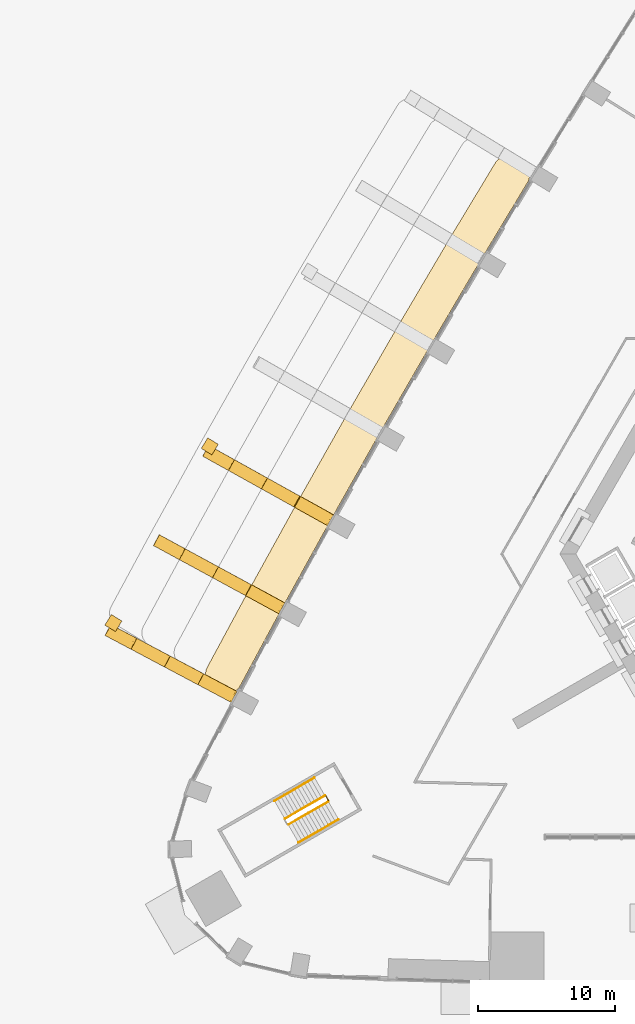
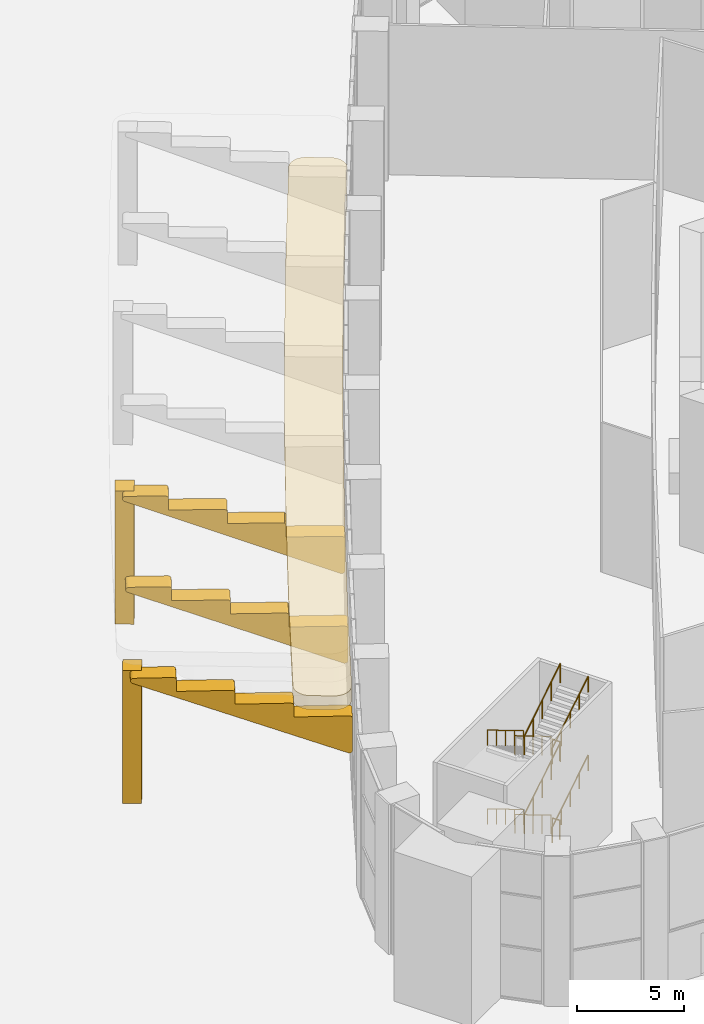
# One storey, part 25 of 36: 10 railings, 6 coverings.
"""IFC4 building model written with IfcOpenShell, lengths in metres."""

from ifc_helpers import new_model, si_unit, direction, frame, origin, origin_2d, place, context, subcontext, project, spatial, polyline, circle, outline, extrude, material, type_object, element, save


model = new_model("IFC4")

# Units and contexts
model_context = context("Model", 3, precision=1e-05, world=origin(), true_north=direction((0.0, 1.0)))
body_context = subcontext(model_context, "Body", "Model", "MODEL_VIEW")
ifc_project = project(units=[si_unit("LENGTHUNIT", "METRE"), si_unit("AREAUNIT", "SQUARE_METRE"), si_unit("VOLUMEUNIT", "CUBIC_METRE"), si_unit("PLANEANGLEUNIT", "RADIAN"), si_unit("MASSUNIT", "GRAM", prefix="KILO")], contexts=[model_context])

# Site, building, storey
site_placement = place(None, origin())
site = spatial("IfcSite", under=ifc_project, at=site_placement, CompositionType="ELEMENT")
building_placement = place(site_placement, origin())
building = spatial("IfcBuilding", under=site, at=building_placement, Name="Entoto Arch Interchange Tower", CompositionType="ELEMENT")
storey_placement = place(building_placement, origin())
storey = spatial("IfcBuildingStorey", under=building, at=storey_placement, Name="L00", CompositionType="ELEMENT", Elevation=0.0)

# Coverings
ifc_material_1 = material(Name="Board-marked precast concrete C50/60", Category="concrete")
covering_type = type_object("IfcCoveringType", Name="PRECAST FRAME COURSE", PredefinedType="CLADDING", material=ifc_material_1)
covering_1_placement = place(storey_placement, frame((0.0, 0.0, 5.199951171875)))
element("IfcCovering", 1, at=covering_1_placement, inside=storey, type_object=covering_type, Name="Street brow NW 4", PredefinedType="CLADDING", context=body_context, shape_type="SweptSolid", body=[
    extrude(outline(polyline([(-36.493896484375, -0.155029296875), (-36.492919921875, -0.152099609375), (-36.48193359375, -0.132080078125), (-36.47998046875, -0.1279296875), (-32.945068359375, 6.277099609375), (-32.943115234375, 6.280029296875), (-32.931884765625, 6.300048828125), (-32.929931640625, 6.303955078125), (-29.3330078125, 12.676025390625), (-29.3310546875, 12.679931640625), (-29.320068359375, 12.698974609375), (-29.318115234375, 12.702880859375), (-25.659912109375, 19.0380859375), (-25.657958984375, 19.0419921875), (-25.64599609375, 19.06103515625), (-25.64404296875, 19.06494140625), (-21.924072265625, 25.365966796875), (-21.922119140625, 25.3701171875), (-21.910888671875, 25.388916015625), (-21.908935546875, 25.39208984375), (-18.548095703125, 30.9619140625), (-18.5029296875, 31.029052734375), (-18.450927734375, 31.092041015625), (-18.39306640625, 31.14892578125), (-18.330078125, 31.199951171875), (-18.261962890625, 31.2451171875), (-18.19091796875, 31.282958984375), (-18.114990234375, 31.31396484375), (-18.037109375, 31.3369140625), (-17.9580078125, 31.35205078125), (-17.876953125, 31.360107421875), (-17.7958984375, 31.35888671875), (-17.715087890625, 31.35107421875), (-17.635009765625, 31.333984375), (-17.55810546875, 31.31005859375), (-17.48291015625, 31.278076171875), (-17.410888671875, 31.239990234375), (-16.472900390625, 30.666015625), (-16.406005859375, 30.6201171875), (-16.343994140625, 30.569091796875), (-16.2880859375, 30.510986328125), (-16.237060546875, 30.448974609375), (-16.193115234375, 30.381103515625), (-16.155029296875, 30.31005859375), (-16.125, 30.235107421875), (-16.10205078125, 30.157958984375), (-16.0859375, 30.077880859375), (-16.0791015625, 29.998046875), (-16.0791015625, 29.91796875), (-16.087890625, 29.8369140625), (-16.10400390625, 29.758056640625), (-16.126953125, 29.680908203125), (-16.158935546875, 29.60693359375), (-16.197021484375, 29.535888671875), (-19.552978515625, 23.972900390625), (-23.27490234375, 17.66796875), (-26.93505859375, 11.3291015625), (-30.533935546875, 4.952880859375), (-34.071044921875, -1.455078125), (-37.135009765625, -7.135986328125), (-37.175048828125, -7.2041015625), (-37.221923828125, -7.26708984375), (-37.27490234375, -7.325927734375), (-37.3330078125, -7.37890625), (-37.39599609375, -7.427001953125), (-37.462890625, -7.468017578125), (-37.533935546875, -7.501953125), (-37.60791015625, -7.530029296875), (-37.68408203125, -7.551025390625), (-37.761962890625, -7.56396484375), (-37.840087890625, -7.570068359375), (-37.9189453125, -7.568115234375), (-37.9970703125, -7.55810546875), (-38.073974609375, -7.5419921875), (-38.14892578125, -7.51806640625), (-38.221923828125, -7.487060546875), (-38.291015625, -7.448974609375), (-39.23095703125, -6.8740234375), (-39.300048828125, -6.826904296875), (-39.364013671875, -6.77294921875), (-39.422119140625, -6.714111328125), (-39.472900390625, -6.64794921875), (-39.51806640625, -6.577880859375), (-39.555908203125, -6.5029296875), (-39.5849609375, -6.425048828125), (-39.60693359375, -6.344970703125), (-39.62109375, -6.262939453125), (-39.6259765625, -6.178955078125), (-39.6220703125, -6.095947265625), (-39.611083984375, -6.013916015625), (-39.591064453125, -5.93310546875), (-39.56298828125, -5.85400390625), (-39.527099609375, -5.779052734375), (-36.493896484375, -0.155029296875)])), origin(), (0.0, 0.0, 1.0), 0.800048828125),
])
covering_2_placement = place(storey_placement, frame((-30.498046875, 5.444091796875, 3.0869140625), z_axis=(0.486955529042, 0.873421422963, 0.003054610398), x_axis=(0.833993334579, -0.463928665087, -0.298706062188)))
element("IfcCovering", 2, at=covering_2_placement, inside=storey, type_object=covering_type, Name="Brow rib NW07", PredefinedType="CLADDING", context=body_context, shape_type="SweptSolid", body=[
    extrude(outline(polyline([(0.0, 0.0), (0.030239575277751948, -1.734723475976807e-18), (0.058339117949457606, -0.005725347557023133), (0.09772836345443968, -0.025472165856019087), (0.12167110789745533, -0.04447812757168067), (0.14010469334324507, -0.06687742678191771), (0.15741114587729954, -0.10708577250523016), (0.16176542780132602, -0.13556433897367895), (0.15990646370593198, -0.18000846899880557), (-0.3886975917559257, -1.9353984918453282), (-0.40610148397586865, -1.9759984786527744), (-0.43748076912662853, -2.0071080535207586), (-0.47663219338673823, -2.029389542891532), (-0.5172744125989779, -2.040716165648691), (-0.5471090189036246, -2.039820326537107), (-0.5752085615753304, -2.0340949789800837), (-3.056590411037762, -1.2574288889613887), (-3.2587030087154654, -1.891025509963627), (-3.280841625913445, -1.9280970909445183), (-3.314011154493949, -1.957623362421929), (-3.351336836872893, -1.9774073826653917), (-3.396170708334995, -1.9830725267064864), (-3.4407654751673244, -1.975509410016331), (-5.922034060795506, -1.1988794538094651), (-6.120593596297861, -1.8335886875385818), (-6.143049088984041, -1.8705607853051633), (-6.176218617564545, -1.9000870567825743), (-6.214625611777324, -1.9192762847497742), (-6.25953240952414, -1.9251744220217222), (-6.3028596744036705, -1.918009238188805), (-8.784241523866102, -1.14134314817011), (-8.977351919266148, -1.7618963330080728), (-8.990307308118545, -1.788283732733467), (-9.018080936060473, -1.8235913705203206), (-9.052701246996495, -1.8493379163151689), (-9.094178244075767, -1.8637295848852493), (-9.137845294982446, -1.8656668372326917), (-9.166017763938864, -1.8601744829065217), (-10.934065673872526, -1.306780208557691), (-10.97481051481521, -1.2876307797273512), (-11.006462475232016, -1.2577699540508624), (-11.028880866604549, -1.2192878593943233), (-11.038960842996348, -1.1775024727978614), (-11.040373228135401, -1.1476416471213735), (-11.031403295115595, -1.1189834797264169), (-11.020643118666047, -1.0919086157220335), (-11.00461256289612, -1.0677626610659545), (-10.982733381579143, -1.0472377842391576), (-10.958452791442046, -1.030791082737851), (-10.931263218208079, -1.0203702561904122), (-10.905313391814248, -1.0139103145674784), (0.0, 0.0)])), origin(), (0.0, 0.0, -1.0), 0.89990234375),
])
covering_3_placement = place(storey_placement, origin())
element("IfcCovering", 3, at=covering_3_placement, inside=storey, type_object=covering_type, Name="Brow post NW07", PredefinedType="CLADDING", context=body_context, shape_type="SweptSolid", body=[
    extrude(outline(polyline([(-38.7060546875, 10.470947265625), (-39.472900390625, 10.94091796875), (-39.943115234375, 10.173095703125), (-39.175048828125, 9.702880859375), (-38.7060546875, 10.470947265625)])), origin(), (0.0, 0.0, 1.0), 7.60009765625),
])
covering_4_placement = place(storey_placement, frame((-34.041015625, -0.964111328125, 3.0869140625), z_axis=(0.478117643379, 0.878290783451, 0.002969645411), x_axis=(0.833977939746, -0.452929273438, -0.315175933854)))
element("IfcCovering", 4, at=covering_4_placement, inside=storey, type_object=covering_type, Name="Brow rib NW08", PredefinedType="CLADDING", context=body_context, shape_type="SweptSolid", body=[
    extrude(outline(polyline([(0.0, 0.0), (0.02866127908688309, -1.734723475976807e-18), (0.0589304070648451, -0.006965864683055932), (0.09671476868142434, -0.02697396840294248), (0.11906637331127844, -0.04597307641635849), (0.13791843448035357, -0.06895590032076998), (0.156799369535873, -0.11021283800364992), (0.16056977728392724, -0.1387339382361737), (0.15656851433016283, -0.18268153367613832), (-0.4211250866566041, -1.928716657375124), (-0.44048526913786534, -1.9685908145524527), (-0.4711407838634443, -1.9995708913418526), (-0.5094140703061294, -2.0215895350086757), (-0.5523169818984912, -2.031522561737397), (-0.5829452567900738, -2.029840914925762), (-0.6096828546400578, -2.0240485039460623), (-3.078960465348, -1.2039917728051277), (-3.289751322340499, -1.8347444216263296), (-3.3114745647744406, -1.8717785259909805), (-3.3436898595138276, -1.9012114633313093), (-3.3866424859979367, -1.9185886886509196), (-3.4305120791518107, -1.9238280148585623), (-3.4722479843446465, -1.9163987725361091), (-5.939250810249986, -1.0970969024500576), (-6.150134696702032, -1.7278196920708142), (-6.174039694479029, -1.764128794581028), (-6.207715342439236, -1.7930758855916014), (-6.247059491545892, -1.8113948681753798), (-6.291006031949242, -1.81686589082221), (-6.332741937142076, -1.8094366484997575), (-8.801815939954574, -0.9894471710401049), (-9.008039675375008, -1.6057673869503692), (-9.019267574969806, -1.6326516558401405), (-9.046389916543436, -1.667891952809116), (-9.08331818251067, -1.6924143808822079), (-9.12378290767779, -1.7065030558232839), (-9.166421344840048, -1.7080352390039173), (-9.195307066846665, -1.7017869170898043), (-10.955714010773242, -1.1171489530170047), (-10.99360255349228, -1.098134888735153), (-11.026802068302755, -1.0670426742201817), (-11.047404719723698, -1.0285586347220637), (-11.055386385187624, -0.9870625262755222), (-11.056282512347341, -0.957181159944744), (-11.050145922894329, -0.9275762979025455), (-11.038918023299532, -0.9006920290127742), (-11.020400976009821, -0.8775149107695013), (-10.99816962721623, -0.8573722768285812), (-10.974663807863221, -0.8409965576519891), (-10.947297834360043, -0.8310485746548308), (-10.91709761028364, -0.8264146458710719), (0.0, 0.0)])), origin(), (0.0, 0.0, -1.0), 0.89990234375),
])
covering_5_placement = place(storey_placement, frame((-37.51904296875, -7.408935546875, 3.0869140625), z_axis=(0.469312573361, 0.883027059686, 0.002986695131), x_axis=(0.834158440894, -0.44222508677, -0.329570429676)))
element("IfcCovering", 5, at=covering_5_placement, inside=storey, type_object=covering_type, Name="Brow rib NW09", PredefinedType="CLADDING", context=body_context, shape_type="SweptSolid", body=[
    extrude(outline(polyline([(0.0, 0.0), (0.027410651512149223, 0.0), (0.05642892625932197, -0.007027272372919873), (0.09471838705863739, -0.027891539171349337), (0.11883873748472058, -0.047948190349241464), (0.13598123672607873, -0.07073984982226916), (0.15298323982315776, -0.11184268978957837), (0.15631778363757298, -0.14041761759763388), (0.15402002030420894, -0.18512751582063264), (-0.45383133195518294, -1.9208923864656027), (-0.47243655976038357, -1.9609437155551062), (-0.5023142828342442, -1.991889444239244), (-0.5429787849243584, -2.0126034195681735), (-0.5870428617152892, -2.0215291956192094), (-0.6141316671047081, -2.020607197309784), (-0.642946289888772, -2.0136506521868553), (-3.099041121262737, -1.15629031542938), (-3.3181692178218727, -1.7841952139828476), (-3.3404565576270615, -1.8208932243688731), (-3.3753810551492656, -1.8490419714915949), (-3.4151879839802635, -1.8669515820379003), (-3.459837325781686, -1.8712779377109081), (-3.503718177526594, -1.862424259672366), (-5.956301812507546, -1.0062903359995545), (-6.178737453496586, -1.633039548718349), (-6.203193834552019, -1.6689798918327086), (-6.236057255933053, -1.6978479363727486), (-6.277940486228573, -1.7147753925287368), (-6.320513526565474, -1.7200839025920618), (-6.363147910021647, -1.7116666129708744), (-8.819039089432504, -0.85437700346339), (-9.03111749494815, -1.4687102256380835), (-9.045018221344824, -1.4946303532588594), (-9.07278214683016, -1.5294150105385467), (-9.108721720594662, -1.553847965738317), (-9.151567069180189, -1.5665602609622944), (-9.194929026490689, -1.5671986233976014), (-9.223824110805435, -1.5604725778520283), (-10.970682662653685, -0.9506902614566837), (-11.012601514005635, -0.9295923071330066), (-11.042622555556054, -0.8989428831287443), (-11.062731634693177, -0.8601172402497497), (-11.074308875693646, -0.8170278588523745), (-11.072689148340503, -0.7878553995370963), (-11.064853456207716, -0.7587846541049492), (-11.053217457915322, -0.7320745018168644), (-11.03559688688972, -0.708745466917506), (-11.01306296089875, -0.6889432821659809), (-10.987249230561204, -0.6736469140047157), (-10.960983654696141, -0.6636798348078949), (-10.93196377257034, -0.659069843260768), (0.0, 0.0)])), origin(), (0.0, 0.0, -1.0), 0.89990234375),
])
covering_6_placement = place(storey_placement, origin())
element("IfcCovering", 6, at=covering_6_placement, inside=storey, type_object=covering_type, Name="Brow post NW09", PredefinedType="CLADDING", context=body_context, shape_type="SweptSolid", body=[
    extrude(outline(polyline([(-45.718017578125, -2.382080078125), (-46.485107421875, -1.912109375), (-46.955078125, -2.679931640625), (-46.18701171875, -3.14990234375), (-45.718017578125, -2.382080078125)])), origin(), (0.0, 0.0, 1.0), 7.60009765625),
])

# Railings
ifc_material_2 = material(Name="Stainless steel 1.4301", Category="steel")
railing_type_1 = type_object("IfcRailingType", Name="STAIR GUARD 1100 STEEL", PredefinedType="GUARDRAIL", material=ifc_material_2)
railing_1_placement = place(storey_placement, frame((-30.95556640625, -15.08349609375, 0.173095703125)))
element("IfcRailing", 7, at=railing_1_placement, inside=storey, type_object=railing_type_1, Name="L00 PST-SW stair guard 1", PredefinedType="GUARDRAIL", context=body_context, shape_type="SweptSolid", body=[
    extrude(circle(Radius=0.02392578125, at=origin_2d()), frame((0.0, 0.0, 1.076171875), z_axis=(-0.736667954249, -0.425288379326, 0.525785240943), x_axis=(0.499976138585, -0.866039179741, 0.0)), (0.0, 0.0, 1.0), 3.9501953125),
    extrude(circle(Radius=0.02099609375, at=origin_2d()), origin(), (0.0, 0.0, 1.0), 1.052001953125),
    extrude(circle(Radius=0.02099609375, at=origin_2d()), frame((-0.7275390625, -0.419921875, 0.519287109375)), (0.0, 0.0, 1.0), 1.052001953125),
    extrude(circle(Radius=0.02099609375, at=origin_2d()), frame((-1.455078125, -0.83984375, 1.03857421875)), (0.0, 0.0, 1.0), 1.052001953125),
    extrude(circle(Radius=0.02099609375, at=origin_2d()), frame((-2.182373046875, -1.260009765625, 1.5576171875)), (0.0, 0.0, 1.0), 1.052001953125),
    extrude(circle(Radius=0.02099609375, at=origin_2d()), frame((-2.909912109375, -1.679931640625, 2.076904296875)), (0.0, 0.0, 1.0), 1.052001953125),
])
railing_2_placement = place(storey_placement, frame((-33.615478515625, -17.196533203125, 2.423095703125)))
element("IfcRailing", 8, at=railing_2_placement, inside=storey, type_object=railing_type_1, Name="L00 PST-SW stair guard 3", PredefinedType="GUARDRAIL", context=body_context, shape_type="SweptSolid", body=[
    extrude(circle(Radius=0.02392578125, at=origin_2d()), frame((0.0, 0.0, 1.076171875), z_axis=(0.736667954249, 0.425288379326, 0.525785240943), x_axis=(-0.499976138585, 0.866039179741, 0.0)), (0.0, 0.0, 1.0), 3.9501953125),
    extrude(circle(Radius=0.02099609375, at=origin_2d()), origin(), (0.0, 0.0, 1.0), 1.052001953125),
    extrude(circle(Radius=0.02099609375, at=origin_2d()), frame((0.7275390625, 0.419921875, 0.519287109375)), (0.0, 0.0, 1.0), 1.052001953125),
    extrude(circle(Radius=0.02099609375, at=origin_2d()), frame((1.455078125, 0.83984375, 1.03857421875)), (0.0, 0.0, 1.0), 1.052001953125),
    extrude(circle(Radius=0.02099609375, at=origin_2d()), frame((2.182373046875, 1.260009765625, 1.5576171875)), (0.0, 0.0, 1.0), 1.052001953125),
    extrude(circle(Radius=0.02099609375, at=origin_2d()), frame((2.909912109375, 1.679931640625, 2.076904296875)), (0.0, 0.0, 1.0), 1.052001953125),
])
railing_3_placement = place(storey_placement, frame((-30.88720703125, -15.101806640625, 4.5)))
element("IfcRailing", 9, at=railing_3_placement, inside=storey, type_object=railing_type_1, Name="L00 PST-SW stair guard 4", PredefinedType="GUARDRAIL", context=body_context, shape_type="SweptSolid", body=[
    extrude(circle(Radius=0.02392578125, at=origin_2d()), frame((0.0, 0.0, 1.076171875), z_axis=(0.499880961361, -0.866094119867, 0.0), x_axis=(0.866094119867, 0.499880961361, 0.0)), (0.0, 0.0, 1.0), 0.39990234375),
    extrude(circle(Radius=0.02099609375, at=origin_2d()), origin(), (0.0, 0.0, 1.0), 1.052001953125),
    extrude(circle(Radius=0.02099609375, at=origin_2d()), frame((0.199951171875, -0.346435546875, 0.0)), (0.0, 0.0, 1.0), 1.052001953125),
])
railing_4_placement = place(storey_placement, frame((-30.95556640625, -15.08349609375, 4.673095703125)))
element("IfcRailing", 10, at=railing_4_placement, inside=storey, type_object=railing_type_1, Name="L00 PST-SW stair guard 5", PredefinedType="GUARDRAIL", context=body_context, shape_type="SweptSolid", body=[
    extrude(circle(Radius=0.02392578125, at=origin_2d()), frame((0.0, 0.0, 1.076171875), z_axis=(-0.736667954249, -0.425288379326, 0.525785240943), x_axis=(0.499976138585, -0.866039179741, 0.0)), (0.0, 0.0, 1.0), 3.9501953125),
    extrude(circle(Radius=0.02099609375, at=origin_2d()), origin(), (0.0, 0.0, 1.0), 1.052001953125),
    extrude(circle(Radius=0.02099609375, at=origin_2d()), frame((-0.7275390625, -0.419921875, 0.519287109375)), (0.0, 0.0, 1.0), 1.052001953125),
    extrude(circle(Radius=0.02099609375, at=origin_2d()), frame((-1.455078125, -0.83984375, 1.03857421875)), (0.0, 0.0, 1.0), 1.052001953125),
    extrude(circle(Radius=0.02099609375, at=origin_2d()), frame((-2.182373046875, -1.260009765625, 1.5576171875)), (0.0, 0.0, 1.0), 1.052001953125),
    extrude(circle(Radius=0.02099609375, at=origin_2d()), frame((-2.909912109375, -1.679931640625, 2.076904296875)), (0.0, 0.0, 1.0), 1.052001953125),
])
railing_5_placement = place(storey_placement, frame((-33.615478515625, -17.196533203125, 6.923095703125)))
element("IfcRailing", 11, at=railing_5_placement, inside=storey, type_object=railing_type_1, Name="L00 PST-SW stair guard 7", PredefinedType="GUARDRAIL", context=body_context, shape_type="SweptSolid", body=[
    extrude(circle(Radius=0.02392578125, at=origin_2d()), frame((0.0, 0.0, 1.076171875), z_axis=(0.736667954249, 0.425288379326, 0.525785240943), x_axis=(-0.499976138585, 0.866039179741, 0.0)), (0.0, 0.0, 1.0), 3.9501953125),
    extrude(circle(Radius=0.02099609375, at=origin_2d()), origin(), (0.0, 0.0, 1.0), 1.052001953125),
    extrude(circle(Radius=0.02099609375, at=origin_2d()), frame((0.7275390625, 0.419921875, 0.519287109375)), (0.0, 0.0, 1.0), 1.052001953125),
    extrude(circle(Radius=0.02099609375, at=origin_2d()), frame((1.455078125, 0.83984375, 1.03857421875)), (0.0, 0.0, 1.0), 1.052001953125),
    extrude(circle(Radius=0.02099609375, at=origin_2d()), frame((2.182373046875, 1.260009765625, 1.5576171875)), (0.0, 0.0, 1.0), 1.052001953125),
    extrude(circle(Radius=0.02099609375, at=origin_2d()), frame((2.909912109375, 1.679931640625, 2.076904296875)), (0.0, 0.0, 1.0), 1.052001953125),
])
railing_6_placement = place(storey_placement, frame((-30.88720703125, -15.101806640625, 0.0)))
element("IfcRailing", 12, at=railing_6_placement, inside=storey, type_object=railing_type_1, Name="L00 PST-SW stair guard 8", PredefinedType="GUARDRAIL", context=body_context, shape_type="SweptSolid", body=[
    extrude(circle(Radius=0.02392578125, at=origin_2d()), frame((0.0, 0.0, 1.076171875), z_axis=(0.499880961361, -0.866094119867, 0.0), x_axis=(0.866094119867, 0.499880961361, 0.0)), (0.0, 0.0, 1.0), 0.39990234375),
    extrude(circle(Radius=0.02099609375, at=origin_2d()), origin(), (0.0, 0.0, 1.0), 1.052001953125),
    extrude(circle(Radius=0.02099609375, at=origin_2d()), frame((0.199951171875, -0.346435546875, 0.0)), (0.0, 0.0, 1.0), 1.052001953125),
])
railing_type_2 = type_object("IfcRailingType", Name="STAIR HANDRAIL 900 STEEL", PredefinedType="HANDRAIL", material=ifc_material_2)
railing_7_placement = place(storey_placement, frame((-31.70556640625, -13.784423828125, 0.173095703125)))
element("IfcRailing", 13, at=railing_7_placement, inside=storey, type_object=railing_type_2, Name="L00 PST-SW stair handrail 1", PredefinedType="HANDRAIL", context=body_context, shape_type="SweptSolid", body=[
    extrude(circle(Radius=0.02392578125, at=origin_2d()), frame((0.0, 0.0, 0.8759765625), z_axis=(-0.736648589954, -0.42533900462, 0.52577141998), x_axis=(0.500030632641, -0.866007717299, 0.0)), (0.0, 0.0, 1.0), 3.9501953125),
    extrude(circle(Radius=0.02099609375, at=origin_2d()), origin(), (0.0, 0.0, 1.0), 0.851806640625),
    extrude(circle(Radius=0.02099609375, at=origin_2d()), frame((-0.7275390625, -0.419921875, 0.519287109375)), (0.0, 0.0, 1.0), 0.851806640625),
    extrude(circle(Radius=0.02099609375, at=origin_2d()), frame((-1.455078125, -0.840087890625, 1.03857421875)), (0.0, 0.0, 1.0), 0.851806640625),
    extrude(circle(Radius=0.02099609375, at=origin_2d()), frame((-2.182373046875, -1.26025390625, 1.5576171875)), (0.0, 0.0, 1.0), 0.851806640625),
    extrude(circle(Radius=0.02099609375, at=origin_2d()), frame((-2.909912109375, -1.68017578125, 2.076904296875)), (0.0, 0.0, 1.0), 0.851806640625),
])
railing_8_placement = place(storey_placement, frame((-32.865478515625, -18.49560546875, 2.423095703125)))
element("IfcRailing", 14, at=railing_8_placement, inside=storey, type_object=railing_type_2, Name="L00 PST-SW stair handrail 2", PredefinedType="HANDRAIL", context=body_context, shape_type="SweptSolid", body=[
    extrude(circle(Radius=0.02392578125, at=origin_2d()), frame((0.0, 0.0, 0.8759765625), z_axis=(0.736667954249, 0.425288379326, 0.525785240943), x_axis=(-0.499976138585, 0.866039179741, 0.0)), (0.0, 0.0, 1.0), 3.9501953125),
    extrude(circle(Radius=0.02099609375, at=origin_2d()), origin(), (0.0, 0.0, 1.0), 0.851806640625),
    extrude(circle(Radius=0.02099609375, at=origin_2d()), frame((0.7275390625, 0.419921875, 0.519287109375)), (0.0, 0.0, 1.0), 0.851806640625),
    extrude(circle(Radius=0.02099609375, at=origin_2d()), frame((1.455078125, 0.83984375, 1.03857421875)), (0.0, 0.0, 1.0), 0.851806640625),
    extrude(circle(Radius=0.02099609375, at=origin_2d()), frame((2.182373046875, 1.260009765625, 1.5576171875)), (0.0, 0.0, 1.0), 0.851806640625),
    extrude(circle(Radius=0.02099609375, at=origin_2d()), frame((2.909912109375, 1.679931640625, 2.076904296875)), (0.0, 0.0, 1.0), 0.851806640625),
])
railing_9_placement = place(storey_placement, frame((-31.70556640625, -13.784423828125, 4.673095703125)))
element("IfcRailing", 15, at=railing_9_placement, inside=storey, type_object=railing_type_2, Name="L00 PST-SW stair handrail 3", PredefinedType="HANDRAIL", context=body_context, shape_type="SweptSolid", body=[
    extrude(circle(Radius=0.02392578125, at=origin_2d()), frame((0.0, 0.0, 0.8759765625), z_axis=(-0.736648589954, -0.42533900462, 0.52577141998), x_axis=(0.500030632641, -0.866007717299, 0.0)), (0.0, 0.0, 1.0), 3.9501953125),
    extrude(circle(Radius=0.02099609375, at=origin_2d()), origin(), (0.0, 0.0, 1.0), 0.851806640625),
    extrude(circle(Radius=0.02099609375, at=origin_2d()), frame((-0.7275390625, -0.419921875, 0.519287109375)), (0.0, 0.0, 1.0), 0.851806640625),
    extrude(circle(Radius=0.02099609375, at=origin_2d()), frame((-1.455078125, -0.840087890625, 1.03857421875)), (0.0, 0.0, 1.0), 0.851806640625),
    extrude(circle(Radius=0.02099609375, at=origin_2d()), frame((-2.182373046875, -1.26025390625, 1.5576171875)), (0.0, 0.0, 1.0), 0.851806640625),
    extrude(circle(Radius=0.02099609375, at=origin_2d()), frame((-2.909912109375, -1.68017578125, 2.076904296875)), (0.0, 0.0, 1.0), 0.851806640625),
])
railing_10_placement = place(storey_placement, frame((-32.865478515625, -18.49560546875, 6.923095703125)))
element("IfcRailing", 16, at=railing_10_placement, inside=storey, type_object=railing_type_2, Name="L00 PST-SW stair handrail 4", PredefinedType="HANDRAIL", context=body_context, shape_type="SweptSolid", body=[
    extrude(circle(Radius=0.02392578125, at=origin_2d()), frame((0.0, 0.0, 0.8759765625), z_axis=(0.736667954249, 0.425288379326, 0.525785240943), x_axis=(-0.499976138585, 0.866039179741, 0.0)), (0.0, 0.0, 1.0), 3.9501953125),
    extrude(circle(Radius=0.02099609375, at=origin_2d()), origin(), (0.0, 0.0, 1.0), 0.851806640625),
    extrude(circle(Radius=0.02099609375, at=origin_2d()), frame((0.7275390625, 0.419921875, 0.519287109375)), (0.0, 0.0, 1.0), 0.851806640625),
    extrude(circle(Radius=0.02099609375, at=origin_2d()), frame((1.455078125, 0.83984375, 1.03857421875)), (0.0, 0.0, 1.0), 0.851806640625),
    extrude(circle(Radius=0.02099609375, at=origin_2d()), frame((2.182373046875, 1.260009765625, 1.5576171875)), (0.0, 0.0, 1.0), 0.851806640625),
    extrude(circle(Radius=0.02099609375, at=origin_2d()), frame((2.909912109375, 1.679931640625, 2.076904296875)), (0.0, 0.0, 1.0), 0.851806640625),
])

save(model, "model.ifc")
